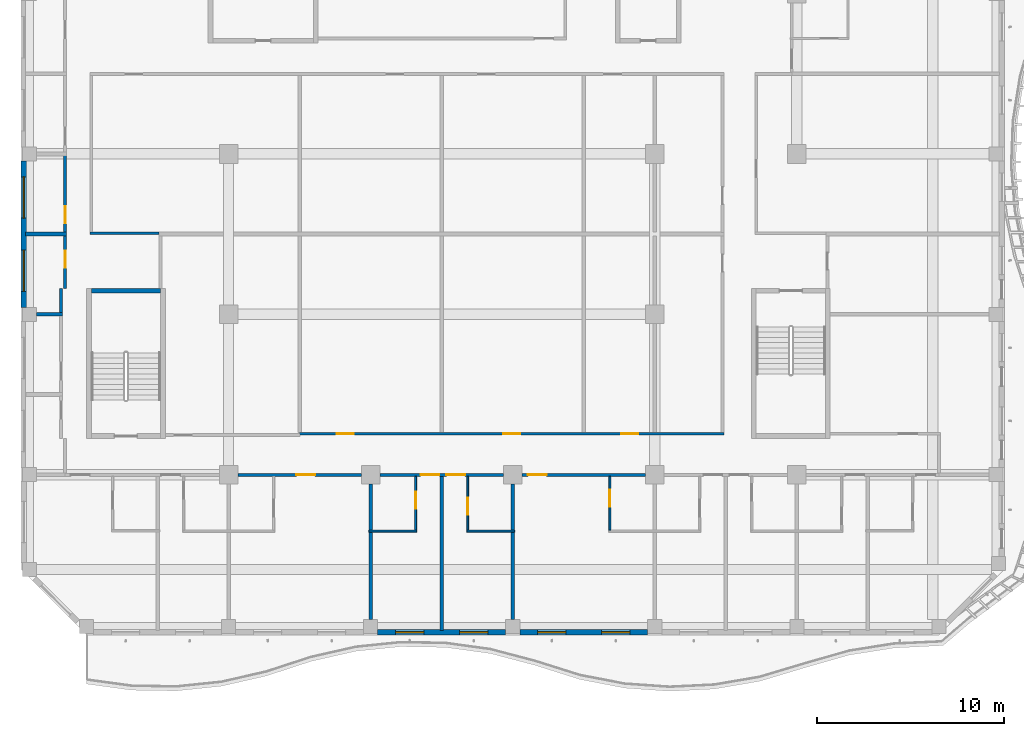
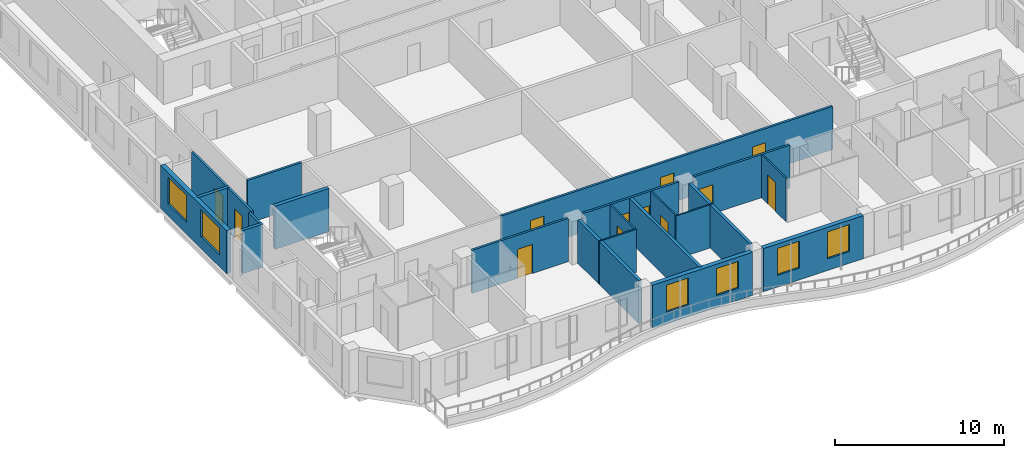
# One storey, part 3 of 21: 24 walls, 12 doors, 6 windows, 18 openings.
"""IFC4 building model written with IfcOpenShell, lengths in metres."""

from ifc_helpers import new_model, si_unit, direction, frame, frame_2d, origin, place, context, subcontext, project, spatial, rectangle, extrude, source, transform, mapped, material, layer, layer_set, type_object, element, fill, save


model = new_model("IFC4")

# Units and contexts
model_context = context("Model", 3, precision=1e-05, world=origin(), true_north=direction((0.0, 1.0)))
body_context = subcontext(model_context, "Body", "Model", "MODEL_VIEW")
ifc_project = project(units=[si_unit("LENGTHUNIT", "METRE"), si_unit("AREAUNIT", "SQUARE_METRE"), si_unit("VOLUMEUNIT", "CUBIC_METRE"), si_unit("PLANEANGLEUNIT", "RADIAN"), si_unit("MASSUNIT", "GRAM", prefix="KILO")], contexts=[model_context])

# Site, building, storey
site_placement = place(None, origin())
site = spatial("IfcSite", under=ifc_project, at=site_placement, CompositionType="ELEMENT")
building_placement = place(site_placement, origin())
building = spatial("IfcBuilding", under=site, at=building_placement, Name="Kilnfold Tower and Market Hall", CompositionType="ELEMENT")
storey_placement = place(building_placement, frame((0.0, 0.0, 216.89990234375)))
storey = spatial("IfcBuildingStorey", under=building, at=storey_placement, Name="L53", CompositionType="ELEMENT", Elevation=216.89990234375)

# Wall, opening, door
ifc_material_1 = material(Name="Gypsum board on steel studs", Category="steel")
ifc_layer_1 = layer(ifc_material_1, 0.14990234375)
ifc_layer_set_1 = layer_set([ifc_layer_1], Name="Gypsum board on steel studs")
wall_type_1 = type_object("IfcWallType", Name="WALL CORRIDOR 150", PredefinedType="PARTITIONING", material=ifc_layer_set_1)
wall_1_placement = place(storey_placement, frame((-9.6669921875, -17.699951171875, 0.0), z_axis=(0.0, 0.0, 1.0), x_axis=(1.0, 0.0, 0.0)))
wall_1 = element("IfcWall", 1, at=wall_1_placement, inside=storey, type_object=wall_type_1, Name="Partition LY31.2", PredefinedType="PARTITIONING", context=body_context, shape_type="SweptSolid", body=[
    extrude(rectangle(XDim=6.583984375, YDim=0.14990234375, at=frame_2d((3.2919921875, 0.0))), origin(), (0.0, 0.0, 1.0), 3.1201171875),
])
opening_1_placement = place(wall_1_placement, frame((3.118896484375, 0.0, 0.0)))
opening_1 = element("IfcOpeningElement", 2, at=opening_1_placement, cuts=wall_1, Name="Opening D1", PredefinedType="OPENING", context=body_context, shape_type="SweptSolid", body=[
    extrude(rectangle(XDim=1.0, YDim=2.10009765625, at=frame_2d((0.5, 1.050048828125))), frame((0.0, 0.0849609375, 0.0), z_axis=(0.0, -1.0, 0.0), x_axis=(1.0, 0.0, 0.0)), (0.0, 0.0, 1.0), 0.169921875),
])
ifc_material_2 = material(Name="Timber veneer door leaf in steel frame", Category="steel")
door_type_1 = type_object("IfcDoorType", Name="DOOR ENTRY 1000 X2100", OperationType="NOTDEFINED", PredefinedType="DOOR", material=ifc_material_2)
door_1_placement = place(opening_1_placement, origin())
door_1 = element("IfcDoor", 3, at=door_1_placement, inside=storey, type_object=door_type_1, Name="Door D1", OperationType="SINGLE_SWING_LEFT", OverallHeight=2.10009765625, OverallWidth=1.0, PredefinedType="DOOR", context=body_context, shape_type="SweptSolid", body=[
    extrude(rectangle(XDim=1.0, YDim=2.10009765625, at=frame_2d((0.5, 1.050048828125))), frame((0.0, 0.02490234375, 0.0), z_axis=(0.0, -1.0, 0.0), x_axis=(1.0, 0.0, 0.0)), (0.0, 0.0, 1.0), 0.050048828125),
])
fill(opening_1, door_1)

# Wall, openings, doors
wall_2_placement = place(storey_placement, frame((-2.0830078125, -17.699951171875, 0.0), z_axis=(0.0, 0.0, 1.0), x_axis=(1.0, 0.0, 0.0)))
wall_2 = element("IfcWall", 4, at=wall_2_placement, inside=storey, type_object=wall_type_1, Name="Partition LY31.3", PredefinedType="PARTITIONING", context=body_context, shape_type="SweptSolid", body=[
    extrude(rectangle(XDim=6.5830078125, YDim=0.14990234375, at=frame_2d((3.29150390625, 0.0))), origin(), (0.0, 0.0, 1.0), 3.1201171875),
])
opening_2_placement = place(wall_2_placement, frame((2.1708984375, 0.0, 0.0)))
opening_2 = element("IfcOpeningElement", 5, at=opening_2_placement, cuts=wall_2, Name="Opening D1", PredefinedType="OPENING", context=body_context, shape_type="SweptSolid", body=[
    extrude(rectangle(XDim=1.0, YDim=2.10009765625, at=frame_2d((0.5, 1.050048828125))), frame((0.0, 0.0849609375, 0.0), z_axis=(0.0, -1.0, 0.0), x_axis=(1.0, 0.0, 0.0)), (0.0, 0.0, 1.0), 0.169921875),
])
opening_3_placement = place(wall_2_placement, frame((3.54296875, 0.0, 0.0)))
opening_3 = element("IfcOpeningElement", 6, at=opening_3_placement, cuts=wall_2, Name="Opening D1", PredefinedType="OPENING", context=body_context, shape_type="SweptSolid", body=[
    extrude(rectangle(XDim=1.0, YDim=2.10009765625, at=frame_2d((0.5, 1.050048828125))), frame((0.0, 0.0849609375, 0.0), z_axis=(0.0, -1.0, 0.0), x_axis=(1.0, 0.0, 0.0)), (0.0, 0.0, 1.0), 0.169921875),
])
door_2_placement = place(opening_2_placement, origin())
door_2 = element("IfcDoor", 7, at=door_2_placement, inside=storey, type_object=door_type_1, Name="Door D1", OperationType="SINGLE_SWING_RIGHT", OverallHeight=2.10009765625, OverallWidth=1.0, PredefinedType="DOOR", context=body_context, shape_type="SweptSolid", body=[
    extrude(rectangle(XDim=1.0, YDim=2.10009765625, at=frame_2d((0.5, 1.050048828125))), frame((0.0, 0.02490234375, 0.0), z_axis=(0.0, -1.0, 0.0), x_axis=(1.0, 0.0, 0.0)), (0.0, 0.0, 1.0), 0.050048828125),
])
fill(opening_2, door_2)
door_3_placement = place(opening_3_placement, origin())
door_3 = element("IfcDoor", 8, at=door_3_placement, inside=storey, type_object=door_type_1, Name="Door D1", OperationType="SINGLE_SWING_RIGHT", OverallHeight=2.10009765625, OverallWidth=1.0, PredefinedType="DOOR", context=body_context, shape_type="SweptSolid", body=[
    extrude(rectangle(XDim=1.0, YDim=2.10009765625, at=frame_2d((0.5, 1.050048828125))), frame((0.0, 0.02490234375, 0.0), z_axis=(0.0, -1.0, 0.0), x_axis=(1.0, 0.0, 0.0)), (0.0, 0.0, 1.0), 0.050048828125),
])
fill(opening_3, door_3)

# Wall, opening, door
wall_3_placement = place(storey_placement, frame((5.5, -17.699951171875, 0.0), z_axis=(0.0, 0.0, 1.0), x_axis=(1.0, 0.0, 0.0)))
wall_3 = element("IfcWall", 9, at=wall_3_placement, inside=storey, type_object=wall_type_1, Name="Partition LY31.4", PredefinedType="PARTITIONING", context=body_context, shape_type="SweptSolid", body=[
    extrude(rectangle(XDim=6.5830078125, YDim=0.14990234375, at=frame_2d((3.29150390625, 0.0))), origin(), (0.0, 0.0, 1.0), 3.1201171875),
])
opening_4_placement = place(wall_3_placement, frame((0.302978515625, 0.0, 0.0)))
opening_4 = element("IfcOpeningElement", 10, at=opening_4_placement, cuts=wall_3, Name="Opening D1", PredefinedType="OPENING", context=body_context, shape_type="SweptSolid", body=[
    extrude(rectangle(XDim=1.0, YDim=2.10009765625, at=frame_2d((0.5, 1.050048828125))), frame((0.0, 0.0849609375, 0.0), z_axis=(0.0, -1.0, 0.0), x_axis=(1.0, 0.0, 0.0)), (0.0, 0.0, 1.0), 0.169921875),
])
door_4_placement = place(opening_4_placement, origin())
door_4 = element("IfcDoor", 11, at=door_4_placement, inside=storey, type_object=door_type_1, Name="Door D1", OperationType="SINGLE_SWING_RIGHT", OverallHeight=2.10009765625, OverallWidth=1.0, PredefinedType="DOOR", context=body_context, shape_type="SweptSolid", body=[
    extrude(rectangle(XDim=1.0, YDim=2.10009765625, at=frame_2d((0.5, 1.050048828125))), frame((0.0, 0.02490234375, 0.0), z_axis=(0.0, -1.0, 0.0), x_axis=(1.0, 0.0, 0.0)), (0.0, 0.0, 1.0), 0.050048828125),
])
fill(opening_4, door_4)

wall_4_placement = place(storey_placement, frame((-18.89990234375, -7.757080078125, 0.0), z_axis=(0.0, 0.0, 1.0), x_axis=(0.0, 1.0, 0.0)))
wall_4 = element("IfcWall", 12, at=wall_4_placement, inside=storey, type_object=wall_type_1, Name="Partition LY31.12", PredefinedType="PARTITIONING", context=body_context, shape_type="SweptSolid", body=[
    extrude(rectangle(XDim=2.823974609375, YDim=0.14990234375, at=frame_2d((1.412109375, 0.0))), origin(), (0.0, 0.0, 1.0), 3.1201171875),
])
opening_5_placement = place(wall_4_placement, frame((1.114013671875, 0.0, 0.0)))
opening_5 = element("IfcOpeningElement", 13, at=opening_5_placement, cuts=wall_4, Name="Opening D2", PredefinedType="OPENING", context=body_context, shape_type="SweptSolid", body=[
    extrude(rectangle(XDim=0.89990234375, YDim=2.10009765625, at=frame_2d((0.449951171875, 1.050048828125))), frame((0.0, 0.0849609375, 0.0), z_axis=(0.0, -1.0, 0.0), x_axis=(1.0, 0.0, 0.0)), (0.0, 0.0, 1.0), 0.169921875),
])
ifc_material_3 = material(Name="Timber veneer door leaf in steel frame", Category="steel")
door_type_2 = type_object("IfcDoorType", Name="DOOR ROOM 900 X2100", OperationType="NOTDEFINED", PredefinedType="DOOR", material=ifc_material_3)
door_5_placement = place(opening_5_placement, origin())
door_5 = element("IfcDoor", 14, at=door_5_placement, inside=storey, type_object=door_type_2, Name="Door D2", OperationType="SINGLE_SWING_LEFT", OverallHeight=2.10009765625, OverallWidth=0.89990234375, PredefinedType="DOOR", context=body_context, shape_type="SweptSolid", body=[
    extrude(rectangle(XDim=0.89990234375, YDim=2.10009765625, at=frame_2d((0.449951171875, 1.050048828125))), frame((0.0, 0.02490234375, 0.0), z_axis=(0.0, -1.0, 0.0), x_axis=(1.0, 0.0, 0.0)), (0.0, 0.0, 1.0), 0.050048828125),
])
fill(opening_5, door_5)

# Wall
wall_5_placement = place(storey_placement, frame((-19.113037109375, -9.034912109375, 0.0), z_axis=(0.0, 0.0, 1.0), x_axis=(0.0, 1.0, 0.0)))
element("IfcWall", 15, at=wall_5_placement, inside=storey, type_object=wall_type_1, Name="Partition LY31.13", PredefinedType="PARTITIONING", context=body_context, shape_type="SweptSolid", body=[
    extrude(rectangle(XDim=1.27783203125, YDim=0.14990234375, at=frame_2d((0.638916015625, 0.0))), origin(), (0.0, 0.0, 1.0), 3.1201171875),
])

# Wall, opening, door
wall_6_placement = place(storey_placement, frame((-18.89990234375, -4.7529296875, 0.0), z_axis=(0.0, 0.0, 1.0), x_axis=(0.0, 1.0, 0.0)))
wall_6 = element("IfcWall", 16, at=wall_6_placement, inside=storey, type_object=wall_type_1, Name="Partition LY31.14", PredefinedType="PARTITIONING", context=body_context, shape_type="SweptSolid", body=[
    extrude(rectangle(XDim=4.100830078125, YDim=0.14990234375, at=frame_2d((2.05029296875, 0.0))), origin(), (0.0, 0.0, 1.0), 3.1201171875),
])
opening_6_placement = place(wall_6_placement, frame((0.5, 0.0, 0.0)))
opening_6 = element("IfcOpeningElement", 17, at=opening_6_placement, cuts=wall_6, Name="Opening D2", PredefinedType="OPENING", context=body_context, shape_type="SweptSolid", body=[
    extrude(rectangle(XDim=0.89990234375, YDim=2.10009765625, at=frame_2d((0.449951171875, 1.050048828125))), frame((0.0, 0.0849609375, 0.0), z_axis=(0.0, -1.0, 0.0), x_axis=(1.0, 0.0, 0.0)), (0.0, 0.0, 1.0), 0.169921875),
])
door_6_placement = place(opening_6_placement, origin())
door_6 = element("IfcDoor", 18, at=door_6_placement, inside=storey, type_object=door_type_2, Name="Door D2", OperationType="SINGLE_SWING_RIGHT", OverallHeight=2.10009765625, OverallWidth=0.89990234375, PredefinedType="DOOR", context=body_context, shape_type="SweptSolid", body=[
    extrude(rectangle(XDim=0.89990234375, YDim=2.10009765625, at=frame_2d((0.449951171875, 1.050048828125))), frame((0.0, 0.02490234375, 0.0), z_axis=(0.0, -1.0, 0.0), x_axis=(1.0, 0.0, 0.0)), (0.0, 0.0, 1.0), 0.050048828125),
])
fill(opening_6, door_6)

# Wall
wall_7_placement = place(storey_placement, frame((-17.574951171875, -4.800048828125, 0.0), z_axis=(0.0, 0.0, 1.0), x_axis=(1.0, 0.0, 0.0)))
element("IfcWall", 19, at=wall_7_placement, inside=storey, type_object=wall_type_1, Name="Partition LY31.34", PredefinedType="PARTITIONING", context=body_context, shape_type="SweptSolid", body=[
    extrude(rectangle(XDim=3.701904296875, YDim=0.14990234375, at=frame_2d((1.85107421875, 0.0))), origin(), (0.0, 0.0, 1.0), 3.1201171875),
])

# Wall, openings, doors
wall_8_placement = place(storey_placement, frame((-6.385009765625, -15.5, 0.0), z_axis=(0.0, 0.0, 1.0), x_axis=(1.0, 0.0, 0.0)))
wall_8 = element("IfcWall", 20, at=wall_8_placement, inside=storey, type_object=wall_type_1, Name="Partition LY31.40", PredefinedType="PARTITIONING", context=body_context, shape_type="SweptSolid", body=[
    extrude(rectangle(XDim=22.659912109375, YDim=0.14990234375, at=frame_2d((11.330078125, 0.0))), origin(), (0.0, 0.0, 1.0), 3.1201171875),
])
opening_7_placement = place(wall_8_placement, frame((2.0009765625, 0.0, 0.0)))
opening_7 = element("IfcOpeningElement", 21, at=opening_7_placement, cuts=wall_8, Name="Opening D2", PredefinedType="OPENING", context=body_context, shape_type="SweptSolid", body=[
    extrude(rectangle(XDim=0.89990234375, YDim=2.10009765625, at=frame_2d((0.449951171875, 1.050048828125))), frame((0.0, 0.0849609375, 0.0), z_axis=(0.0, -1.0, 0.0), x_axis=(1.0, 0.0, 0.0)), (0.0, 0.0, 1.0), 0.169921875),
])
opening_8_placement = place(wall_8_placement, frame((10.884033203125, 0.0, 0.0)))
opening_8 = element("IfcOpeningElement", 22, at=opening_8_placement, cuts=wall_8, Name="Opening D2", PredefinedType="OPENING", context=body_context, shape_type="SweptSolid", body=[
    extrude(rectangle(XDim=0.89990234375, YDim=2.10009765625, at=frame_2d((0.449951171875, 1.050048828125))), frame((0.0, 0.0849609375, 0.0), z_axis=(0.0, -1.0, 0.0), x_axis=(1.0, 0.0, 0.0)), (0.0, 0.0, 1.0), 0.169921875),
])
opening_9_placement = place(wall_8_placement, frame((17.175048828125, 0.0, 0.0)))
opening_9 = element("IfcOpeningElement", 23, at=opening_9_placement, cuts=wall_8, Name="Opening D2", PredefinedType="OPENING", context=body_context, shape_type="SweptSolid", body=[
    extrude(rectangle(XDim=0.89990234375, YDim=2.10009765625, at=frame_2d((0.449951171875, 1.050048828125))), frame((0.0, 0.0849609375, 0.0), z_axis=(0.0, -1.0, 0.0), x_axis=(1.0, 0.0, 0.0)), (0.0, 0.0, 1.0), 0.169921875),
])
door_7_placement = place(opening_7_placement, origin())
door_7 = element("IfcDoor", 24, at=door_7_placement, inside=storey, type_object=door_type_2, Name="Door D2", OperationType="SINGLE_SWING_RIGHT", OverallHeight=2.10009765625, OverallWidth=0.89990234375, PredefinedType="DOOR", context=body_context, shape_type="SweptSolid", body=[
    extrude(rectangle(XDim=0.89990234375, YDim=2.10009765625, at=frame_2d((0.449951171875, 1.050048828125))), frame((0.0, 0.02490234375, 0.0), z_axis=(0.0, -1.0, 0.0), x_axis=(1.0, 0.0, 0.0)), (0.0, 0.0, 1.0), 0.050048828125),
])
fill(opening_7, door_7)
door_8_placement = place(opening_8_placement, origin())
door_8 = element("IfcDoor", 25, at=door_8_placement, inside=storey, type_object=door_type_2, Name="Door D2", OperationType="SINGLE_SWING_LEFT", OverallHeight=2.10009765625, OverallWidth=0.89990234375, PredefinedType="DOOR", context=body_context, shape_type="SweptSolid", body=[
    extrude(rectangle(XDim=0.89990234375, YDim=2.10009765625, at=frame_2d((0.449951171875, 1.050048828125))), frame((0.0, 0.02490234375, 0.0), z_axis=(0.0, -1.0, 0.0), x_axis=(1.0, 0.0, 0.0)), (0.0, 0.0, 1.0), 0.050048828125),
])
fill(opening_8, door_8)
door_9_placement = place(opening_9_placement, origin())
door_9 = element("IfcDoor", 26, at=door_9_placement, inside=storey, type_object=door_type_2, Name="Door D2", OperationType="SINGLE_SWING_RIGHT", OverallHeight=2.10009765625, OverallWidth=0.89990234375, PredefinedType="DOOR", context=body_context, shape_type="SweptSolid", body=[
    extrude(rectangle(XDim=0.89990234375, YDim=2.10009765625, at=frame_2d((0.449951171875, 1.050048828125))), frame((0.0, 0.02490234375, 0.0), z_axis=(0.0, -1.0, 0.0), x_axis=(1.0, 0.0, 0.0)), (0.0, 0.0, 1.0), 0.050048828125),
])
fill(opening_9, door_9)

# Wall, opening, door
ifc_material_4 = material(Name="Gypsum board on steel studs", Category="steel")
ifc_layer_2 = layer(ifc_material_4, 0.10009765625)
ifc_layer_set_2 = layer_set([ifc_layer_2], Name="Gypsum board on steel studs")
wall_type_2 = type_object("IfcWallType", Name="WALL PARTITION 100", PredefinedType="PARTITIONING", material=ifc_layer_set_2)
wall_9_placement = place(storey_placement, frame((-0.18310546875, -17.777099609375, 0.0), z_axis=(0.0, 0.0, 1.0), x_axis=(0.0, -1.0, 0.0)))
wall_9 = element("IfcWall", 27, at=wall_9_placement, inside=storey, type_object=wall_type_2, Name="Partition LY31.54", PredefinedType="PARTITIONING", context=body_context, shape_type="SweptSolid", body=[
    extrude(rectangle(XDim=2.875, YDim=0.10009765625, at=frame_2d((1.4375, 0.0))), origin(), (0.0, 0.0, 1.0), 3.1201171875),
])
opening_10_placement = place(wall_9_placement, frame((0.830078125, 0.0, 0.0)))
opening_10 = element("IfcOpeningElement", 28, at=opening_10_placement, cuts=wall_9, Name="Opening D3", PredefinedType="OPENING", context=body_context, shape_type="SweptSolid", body=[
    extrude(rectangle(XDim=0.89990234375, YDim=2.10009765625, at=frame_2d((0.449951171875, 1.050048828125))), frame((0.0, 0.06005859375, 0.0), z_axis=(0.0, -1.0, 0.0), x_axis=(1.0, 0.0, 0.0)), (0.0, 0.0, 1.0), 0.1201171875),
])
ifc_material_5 = material(Name="Timber veneer door leaf in steel frame", Category="steel")
door_type_3 = type_object("IfcDoorType", Name="DOOR WC 900 X2100", OperationType="NOTDEFINED", PredefinedType="DOOR", material=ifc_material_5)
door_10_placement = place(opening_10_placement, origin())
door_10 = element("IfcDoor", 29, at=door_10_placement, inside=storey, type_object=door_type_3, Name="Door D3", OperationType="SINGLE_SWING_LEFT", OverallHeight=2.10009765625, OverallWidth=0.89990234375, PredefinedType="DOOR", context=body_context, shape_type="SweptSolid", body=[
    extrude(rectangle(XDim=0.89990234375, YDim=2.10009765625, at=frame_2d((0.449951171875, 1.050048828125))), frame((0.0, 0.02490234375, 0.0), z_axis=(0.0, -1.0, 0.0), x_axis=(1.0, 0.0, 0.0)), (0.0, 0.0, 1.0), 0.050048828125),
])
fill(opening_10, door_10)

# Wall
wall_10_placement = place(storey_placement, frame((-2.68310546875, -20.701904296875, 0.0), z_axis=(0.0, 0.0, 1.0), x_axis=(1.0, 0.0, 0.0)))
element("IfcWall", 30, at=wall_10_placement, inside=storey, type_object=wall_type_2, Name="Partition LY31.55", PredefinedType="PARTITIONING", context=body_context, shape_type="SweptSolid", body=[
    extrude(rectangle(XDim=2.550048828125, YDim=0.10009765625, at=frame_2d((1.27490234375, 0.0))), origin(), (0.0, 0.0, 1.0), 3.1201171875),
])

# Wall, opening, door
wall_11_placement = place(storey_placement, frame((2.60009765625, -20.652099609375, 0.0), z_axis=(0.0, 0.0, 1.0), x_axis=(0.0, 1.0, 0.0)))
wall_11 = element("IfcWall", 31, at=wall_11_placement, inside=storey, type_object=wall_type_2, Name="Partition LY31.57", PredefinedType="PARTITIONING", context=body_context, shape_type="SweptSolid", body=[
    extrude(rectangle(XDim=2.875, YDim=0.10009765625, at=frame_2d((1.4375, 0.0))), origin(), (0.0, 0.0, 1.0), 3.1201171875),
])
opening_11_placement = place(wall_11_placement, frame((0.830078125, 0.0, 0.0)))
opening_11 = element("IfcOpeningElement", 32, at=opening_11_placement, cuts=wall_11, Name="Opening D3", PredefinedType="OPENING", context=body_context, shape_type="SweptSolid", body=[
    extrude(rectangle(XDim=0.89990234375, YDim=2.10009765625, at=frame_2d((0.449951171875, 1.050048828125))), frame((0.0, 0.06005859375, 0.0), z_axis=(0.0, -1.0, 0.0), x_axis=(1.0, 0.0, 0.0)), (0.0, 0.0, 1.0), 0.1201171875),
])
door_11_placement = place(opening_11_placement, origin())
door_11 = element("IfcDoor", 33, at=door_11_placement, inside=storey, type_object=door_type_3, Name="Door D3", OperationType="SINGLE_SWING_LEFT", OverallHeight=2.10009765625, OverallWidth=0.89990234375, PredefinedType="DOOR", context=body_context, shape_type="SweptSolid", body=[
    extrude(rectangle(XDim=0.89990234375, YDim=2.10009765625, at=frame_2d((0.449951171875, 1.050048828125))), frame((0.0, 0.02490234375, 0.0), z_axis=(0.0, -1.0, 0.0), x_axis=(1.0, 0.0, 0.0)), (0.0, 0.0, 1.0), 0.050048828125),
])
fill(opening_11, door_11)

# Wall
wall_12_placement = place(storey_placement, frame((2.550048828125, -20.701904296875, 0.0), z_axis=(0.0, 0.0, 1.0), x_axis=(1.0, 0.0, 0.0)))
element("IfcWall", 34, at=wall_12_placement, inside=storey, type_object=wall_type_2, Name="Partition LY31.58", PredefinedType="PARTITIONING", context=body_context, shape_type="SweptSolid", body=[
    extrude(rectangle(XDim=2.550048828125, YDim=0.10009765625, at=frame_2d((1.27490234375, 0.0))), origin(), (0.0, 0.0, 1.0), 3.1201171875),
])

# Wall, opening, door
wall_13_placement = place(storey_placement, frame((10.18310546875, -20.652099609375, 0.0), z_axis=(0.0, 0.0, 1.0), x_axis=(0.0, 1.0, 0.0)))
wall_13 = element("IfcWall", 35, at=wall_13_placement, inside=storey, type_object=wall_type_2, Name="Partition LY31.61", PredefinedType="PARTITIONING", context=body_context, shape_type="SweptSolid", body=[
    extrude(rectangle(XDim=2.875, YDim=0.10009765625, at=frame_2d((1.4375, 0.0))), origin(), (0.0, 0.0, 1.0), 3.1201171875),
])
opening_12_placement = place(wall_13_placement, frame((1.25, 0.0, 0.0)))
opening_12 = element("IfcOpeningElement", 36, at=opening_12_placement, cuts=wall_13, Name="Opening D3", PredefinedType="OPENING", context=body_context, shape_type="SweptSolid", body=[
    extrude(rectangle(XDim=0.89990234375, YDim=2.10009765625, at=frame_2d((0.449951171875, 1.050048828125))), frame((0.0, 0.06005859375, 0.0), z_axis=(0.0, -1.0, 0.0), x_axis=(1.0, 0.0, 0.0)), (0.0, 0.0, 1.0), 0.1201171875),
])
door_12_placement = place(opening_12_placement, origin())
door_12 = element("IfcDoor", 37, at=door_12_placement, inside=storey, type_object=door_type_3, Name="Door D3", OperationType="SINGLE_SWING_LEFT", OverallHeight=2.10009765625, OverallWidth=0.89990234375, PredefinedType="DOOR", context=body_context, shape_type="SweptSolid", body=[
    extrude(rectangle(XDim=0.89990234375, YDim=2.10009765625, at=frame_2d((0.449951171875, 1.050048828125))), frame((0.0, 0.02490234375, 0.0), z_axis=(0.0, -1.0, 0.0), x_axis=(1.0, 0.0, 0.0)), (0.0, 0.0, 1.0), 0.050048828125),
])
fill(opening_12, door_12)

# Walls
ifc_material_6 = material(Name="Gypsum board on steel studs", Category="steel")
ifc_layer_3 = layer(ifc_material_6, 0.199951171875)
ifc_layer_set_3 = layer_set([ifc_layer_3], Name="Gypsum board on steel studs")
wall_type_3 = type_object("IfcWallType", Name="WALL PARTY 200", PredefinedType="PARTITIONING", material=ifc_layer_set_3)
wall_14_placement = place(storey_placement, frame((-2.5830078125, -25.425048828125, 0.0), z_axis=(0.0, 0.0, 1.0), x_axis=(0.0, 1.0, 0.0)))
element("IfcWall", 38, at=wall_14_placement, inside=storey, type_object=wall_type_3, Name="Partition LY31.52", PredefinedType="PARTITIONING", context=body_context, shape_type="SweptSolid", body=[
    extrude(rectangle(XDim=4.68310546875, YDim=0.199951171875, at=frame_2d((2.341552734375, 0.0))), origin(), (0.0, 0.0, 1.0), 3.1201171875),
])
wall_15_placement = place(storey_placement, frame((-2.5830078125, -20.662109375, 0.0), z_axis=(0.0, 0.0, 1.0), x_axis=(0.0, 1.0, 0.0)))
element("IfcWall", 39, at=wall_15_placement, inside=storey, type_object=wall_type_3, Name="Partition LY31.53", PredefinedType="PARTITIONING", context=body_context, shape_type="SweptSolid", body=[
    extrude(rectangle(XDim=2.47412109375, YDim=0.199951171875, at=frame_2d((1.237060546875, 0.0))), origin(), (0.0, 0.0, 1.0), 3.1201171875),
])
wall_16_placement = place(storey_placement, frame((1.2080078125, -26.0, 0.0), z_axis=(0.0, 0.0, 1.0), x_axis=(0.0, 1.0, 0.0)))
element("IfcWall", 40, at=wall_16_placement, inside=storey, type_object=wall_type_3, Name="Partition LY31.56", PredefinedType="PARTITIONING", context=body_context, shape_type="SweptSolid", body=[
    extrude(rectangle(XDim=8.222900390625, YDim=0.199951171875, at=frame_2d((4.111328125, 0.0))), origin(), (0.0, 0.0, 1.0), 3.1201171875),
])
wall_17_placement = place(storey_placement, frame((5.0, -25.425048828125, 0.0), z_axis=(0.0, 0.0, 1.0), x_axis=(0.0, 1.0, 0.0)))
element("IfcWall", 41, at=wall_17_placement, inside=storey, type_object=wall_type_3, Name="Partition LY31.59", PredefinedType="PARTITIONING", context=body_context, shape_type="SweptSolid", body=[
    extrude(rectangle(XDim=4.673095703125, YDim=0.199951171875, at=frame_2d((2.33642578125, 0.0))), origin(), (0.0, 0.0, 1.0), 3.1201171875),
])
wall_18_placement = place(storey_placement, frame((5.0, -20.652099609375, 0.0), z_axis=(0.0, 0.0, 1.0), x_axis=(0.0, 1.0, 0.0)))
element("IfcWall", 42, at=wall_18_placement, inside=storey, type_object=wall_type_3, Name="Partition LY31.60", PredefinedType="PARTITIONING", context=body_context, shape_type="SweptSolid", body=[
    extrude(rectangle(XDim=2.464111328125, YDim=0.199951171875, at=frame_2d((1.23193359375, 0.0))), origin(), (0.0, 0.0, 1.0), 3.1201171875),
])
wall_19_placement = place(storey_placement, frame((-20.425048828125, -9.125, 0.0), z_axis=(0.0, 0.0, 1.0), x_axis=(1.0, 0.0, 0.0)))
element("IfcWall", 43, at=wall_19_placement, inside=storey, type_object=wall_type_3, Name="Partition LY31.80", PredefinedType="PARTITIONING", context=body_context, shape_type="SweptSolid", body=[
    extrude(rectangle(XDim=1.39794921875, YDim=0.199951171875, at=frame_2d((0.698974609375, 0.0))), origin(), (0.0, 0.0, 1.0), 3.1201171875),
])
wall_20_placement = place(storey_placement, frame((-21.0, -4.843017578125, 0.0), z_axis=(0.0, 0.0, 1.0), x_axis=(1.0, 0.0, 0.0)))
element("IfcWall", 44, at=wall_20_placement, inside=storey, type_object=wall_type_3, Name="Partition LY31.81", PredefinedType="PARTITIONING", context=body_context, shape_type="SweptSolid", body=[
    extrude(rectangle(XDim=2.173095703125, YDim=0.199951171875, at=frame_2d((1.08642578125, 0.0))), origin(), (0.0, 0.0, 1.0), 3.1201171875),
])
ifc_material_7 = material(Name="Concrete C60", Category="concrete")
ifc_layer_4 = layer(ifc_material_7, 0.25)
ifc_layer_set_4 = layer_set([ifc_layer_4], Name="Concrete C60")
wall_type_4 = type_object("IfcWallType", Name="CORE WALL 250 C60", PredefinedType="SHEAR", material=ifc_layer_set_4)
shared_shape_1 = source(origin(), body_context, "Body", "SweptSolid", [
    extrude(rectangle(XDim=3.699951171875, YDim=0.25, at=frame_2d((1.85009765625, 0.0))), origin(), (0.0, 0.0, 1.0), 3.1201171875),
])
wall_21_placement = place(storey_placement, frame((-17.5, -7.875, 0.0), z_axis=(0.0, 0.0, 1.0), x_axis=(1.0, 0.0, 0.0)))
element("IfcWall", 45, at=wall_21_placement, inside=storey, type_object=wall_type_4, Name="Stair enclosure ST3", PredefinedType="SHEAR", context=body_context, shape_type="MappedRepresentation", body=[
    mapped(shared_shape_1, transform((0.0, 0.0, 0.0))),
])

# Wall, openings, windows
ifc_material_8 = material(Name="Precast concrete C50/60", Category="concrete")
ifc_layer_5 = layer(ifc_material_8, 0.300048828125)
ifc_layer_set_5 = layer_set([ifc_layer_5], Name="Precast concrete C50/60")
wall_type_5 = type_object("IfcWallType", Name="PRECAST WALL 300", PredefinedType="SOLIDWALL", material=ifc_layer_set_5)
shared_shape_2 = source(origin(), body_context, "Body", "SweptSolid", [
    extrude(rectangle(XDim=6.833251953125, YDim=0.300048828125, at=frame_2d((3.41650390625, 0.0))), origin(), (0.0, 0.0, 1.0), 3.1201171875),
])
wall_22_placement = place(storey_placement, frame((-2.208251953125, -26.10009765625, 0.0), z_axis=(0.0, 0.0, 1.0), x_axis=(1.0, 0.0, 0.0)))
wall_22 = element("IfcWall", 46, at=wall_22_placement, inside=storey, type_object=wall_type_5, Name="External wall L53 S", PredefinedType="SOLIDWALL", context=body_context, shape_type="MappedRepresentation", body=[
    mapped(shared_shape_2, transform((0.0, 0.0, 0.0))),
])
opening_13_placement = place(wall_22_placement, frame((0.958251953125, 0.0, 0.85009765625)))
opening_13 = element("IfcOpeningElement", 47, at=opening_13_placement, cuts=wall_22, Name="Opening W4", PredefinedType="OPENING", context=body_context, shape_type="SweptSolid", body=[
    extrude(rectangle(XDim=1.5, YDim=1.949951171875, at=frame_2d((0.75, 0.97509765625))), frame((0.0, 0.16015625, 0.0), z_axis=(0.0, -1.0, 0.0), x_axis=(1.0, 0.0, 0.0)), (0.0, 0.0, 1.0), 0.320068359375),
])
opening_14_placement = place(wall_22_placement, frame((4.375, 0.0, 0.85009765625)))
opening_14 = element("IfcOpeningElement", 48, at=opening_14_placement, cuts=wall_22, Name="Opening W4", PredefinedType="OPENING", context=body_context, shape_type="SweptSolid", body=[
    extrude(rectangle(XDim=1.5, YDim=1.949951171875, at=frame_2d((0.75, 0.97509765625))), frame((0.0, 0.16015625, 0.0), z_axis=(0.0, -1.0, 0.0), x_axis=(1.0, 0.0, 0.0)), (0.0, 0.0, 1.0), 0.320068359375),
])
ifc_material_9 = material(Name="Aluminium frame and double glazing", Category="aluminium")
window_type_1 = type_object("IfcWindowType", Name="WINDOW W4 1500X1950", PartitioningType="SINGLE_PANEL", PredefinedType="WINDOW", material=ifc_material_9)
window_1_placement = place(opening_13_placement, origin())
window_1 = element("IfcWindow", 49, at=window_1_placement, inside=storey, type_object=window_type_1, Name="Window W4 L53 S-1", OverallHeight=1.949951171875, OverallWidth=1.5, PartitioningType="SINGLE_PANEL", PredefinedType="WINDOW", context=body_context, shape_type="SweptSolid", body=[
    extrude(rectangle(XDim=1.5, YDim=1.949951171875, at=frame_2d((0.75, 0.97509765625))), frame((0.0, 0.030029296875, 0.0), z_axis=(0.0, -1.0, 0.0), x_axis=(1.0, 0.0, 0.0)), (0.0, 0.0, 1.0), 0.06005859375),
])
fill(opening_13, window_1)
window_2_placement = place(opening_14_placement, origin())
window_2 = element("IfcWindow", 50, at=window_2_placement, inside=storey, type_object=window_type_1, Name="Window W4 L53 S-2", OverallHeight=1.949951171875, OverallWidth=1.5, PartitioningType="SINGLE_PANEL", PredefinedType="WINDOW", context=body_context, shape_type="SweptSolid", body=[
    extrude(rectangle(XDim=1.5, YDim=1.949951171875, at=frame_2d((0.75, 0.97509765625))), frame((0.0, 0.030029296875, 0.0), z_axis=(0.0, -1.0, 0.0), x_axis=(1.0, 0.0, 0.0)), (0.0, 0.0, 1.0), 0.06005859375),
])
fill(opening_14, window_2)

wall_23_placement = place(storey_placement, frame((5.375, -26.10009765625, 0.0), z_axis=(0.0, 0.0, 1.0), x_axis=(1.0, 0.0, 0.0)))
wall_23 = element("IfcWall", 51, at=wall_23_placement, inside=storey, type_object=wall_type_5, Name="External wall L53 S", PredefinedType="SOLIDWALL", context=body_context, shape_type="MappedRepresentation", body=[
    mapped(shared_shape_2, transform((0.0, 0.0, 0.0))),
])
opening_15_placement = place(wall_23_placement, frame((0.958251953125, 0.0, 0.85009765625)))
opening_15 = element("IfcOpeningElement", 52, at=opening_15_placement, cuts=wall_23, Name="Opening W4", PredefinedType="OPENING", context=body_context, shape_type="SweptSolid", body=[
    extrude(rectangle(XDim=1.5, YDim=1.949951171875, at=frame_2d((0.75, 0.97509765625))), frame((0.0, 0.16015625, 0.0), z_axis=(0.0, -1.0, 0.0), x_axis=(1.0, 0.0, 0.0)), (0.0, 0.0, 1.0), 0.320068359375),
])
opening_16_placement = place(wall_23_placement, frame((4.375, 0.0, 0.85009765625)))
opening_16 = element("IfcOpeningElement", 53, at=opening_16_placement, cuts=wall_23, Name="Opening W4", PredefinedType="OPENING", context=body_context, shape_type="SweptSolid", body=[
    extrude(rectangle(XDim=1.5, YDim=1.949951171875, at=frame_2d((0.75, 0.97509765625))), frame((0.0, 0.16015625, 0.0), z_axis=(0.0, -1.0, 0.0), x_axis=(1.0, 0.0, 0.0)), (0.0, 0.0, 1.0), 0.320068359375),
])
window_3_placement = place(opening_15_placement, origin())
window_3 = element("IfcWindow", 54, at=window_3_placement, inside=storey, type_object=window_type_1, Name="Window W4 L53 S-1", OverallHeight=1.949951171875, OverallWidth=1.5, PartitioningType="SINGLE_PANEL", PredefinedType="WINDOW", context=body_context, shape_type="SweptSolid", body=[
    extrude(rectangle(XDim=1.5, YDim=1.949951171875, at=frame_2d((0.75, 0.97509765625))), frame((0.0, 0.030029296875, 0.0), z_axis=(0.0, -1.0, 0.0), x_axis=(1.0, 0.0, 0.0)), (0.0, 0.0, 1.0), 0.06005859375),
])
fill(opening_15, window_3)
window_4_placement = place(opening_16_placement, origin())
window_4 = element("IfcWindow", 55, at=window_4_placement, inside=storey, type_object=window_type_1, Name="Window W4 L53 S-2", OverallHeight=1.949951171875, OverallWidth=1.5, PartitioningType="SINGLE_PANEL", PredefinedType="WINDOW", context=body_context, shape_type="SweptSolid", body=[
    extrude(rectangle(XDim=1.5, YDim=1.949951171875, at=frame_2d((0.75, 0.97509765625))), frame((0.0, 0.030029296875, 0.0), z_axis=(0.0, -1.0, 0.0), x_axis=(1.0, 0.0, 0.0)), (0.0, 0.0, 1.0), 0.06005859375),
])
fill(opening_16, window_4)

shared_shape_3 = source(origin(), body_context, "Body", "SweptSolid", [
    extrude(rectangle(XDim=7.8125, YDim=0.300048828125, at=frame_2d((3.90625, 0.0))), origin(), (0.0, 0.0, 1.0), 3.1201171875),
])
wall_24_placement = place(storey_placement, frame((-21.10009765625, -0.9375, 0.0), z_axis=(0.0, 0.0, 1.0), x_axis=(0.0, -1.0, 0.0)))
wall_24 = element("IfcWall", 56, at=wall_24_placement, inside=storey, type_object=wall_type_5, Name="External wall L53 W", PredefinedType="SOLIDWALL", context=body_context, shape_type="MappedRepresentation", body=[
    mapped(shared_shape_3, transform((0.0, 0.0, 0.0))),
])
opening_17_placement = place(wall_24_placement, frame((0.853271484375, 0.0, 0.85009765625)))
opening_17 = element("IfcOpeningElement", 57, at=opening_17_placement, cuts=wall_24, Name="Opening W2", PredefinedType="OPENING", context=body_context, shape_type="SweptSolid", body=[
    extrude(rectangle(XDim=2.199951171875, YDim=1.949951171875, at=frame_2d((1.10009765625, 0.97509765625))), frame((0.0, 0.16015625, 0.0), z_axis=(0.0, -1.0, 0.0), x_axis=(1.0, 0.0, 0.0)), (0.0, 0.0, 1.0), 0.320068359375),
])
opening_18_placement = place(wall_24_placement, frame((4.759521484375, 0.0, 0.85009765625)))
opening_18 = element("IfcOpeningElement", 58, at=opening_18_placement, cuts=wall_24, Name="Opening W2", PredefinedType="OPENING", context=body_context, shape_type="SweptSolid", body=[
    extrude(rectangle(XDim=2.199951171875, YDim=1.949951171875, at=frame_2d((1.10009765625, 0.97509765625))), frame((0.0, 0.16015625, 0.0), z_axis=(0.0, -1.0, 0.0), x_axis=(1.0, 0.0, 0.0)), (0.0, 0.0, 1.0), 0.320068359375),
])
ifc_material_10 = material(Name="Aluminium frame and double glazing", Category="aluminium")
window_type_2 = type_object("IfcWindowType", Name="WINDOW W2 2200X1950", PartitioningType="SINGLE_PANEL", PredefinedType="WINDOW", material=ifc_material_10)
window_5_placement = place(opening_17_placement, origin())
window_5 = element("IfcWindow", 59, at=window_5_placement, inside=storey, type_object=window_type_2, Name="Window W2 L53 W-1", OverallHeight=1.949951171875, OverallWidth=2.199951171875, PartitioningType="SINGLE_PANEL", PredefinedType="WINDOW", context=body_context, shape_type="SweptSolid", body=[
    extrude(rectangle(XDim=2.199951171875, YDim=1.949951171875, at=frame_2d((1.10009765625, 0.97509765625))), frame((0.0, 0.030029296875, 0.0), z_axis=(0.0, -1.0, 0.0), x_axis=(1.0, 0.0, 0.0)), (0.0, 0.0, 1.0), 0.06005859375),
])
fill(opening_17, window_5)
window_6_placement = place(opening_18_placement, origin())
window_6 = element("IfcWindow", 60, at=window_6_placement, inside=storey, type_object=window_type_2, Name="Window W2 L53 W-2", OverallHeight=1.949951171875, OverallWidth=2.199951171875, PartitioningType="SINGLE_PANEL", PredefinedType="WINDOW", context=body_context, shape_type="SweptSolid", body=[
    extrude(rectangle(XDim=2.199951171875, YDim=1.949951171875, at=frame_2d((1.10009765625, 0.97509765625))), frame((0.0, 0.030029296875, 0.0), z_axis=(0.0, -1.0, 0.0), x_axis=(1.0, 0.0, 0.0)), (0.0, 0.0, 1.0), 0.06005859375),
])
fill(opening_18, window_6)

save(model, "model.ifc")
